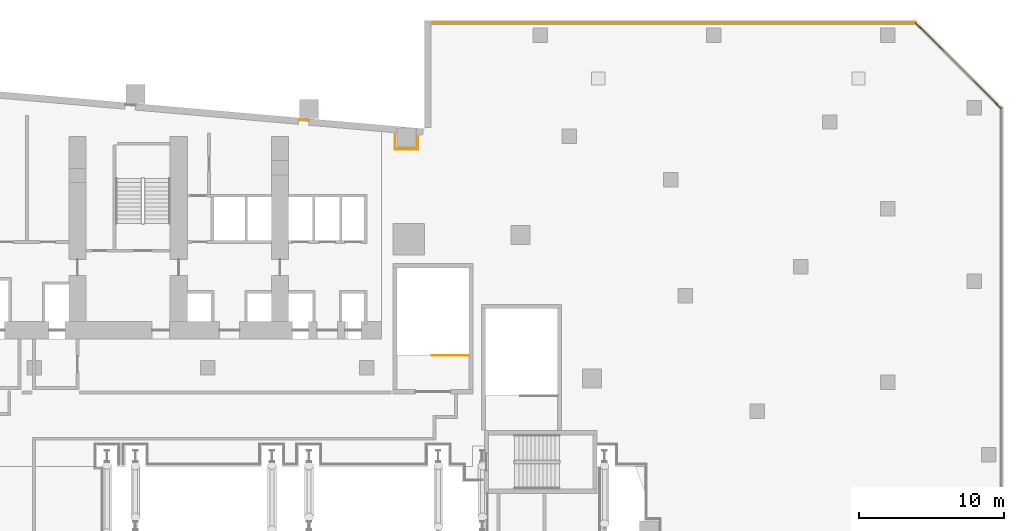
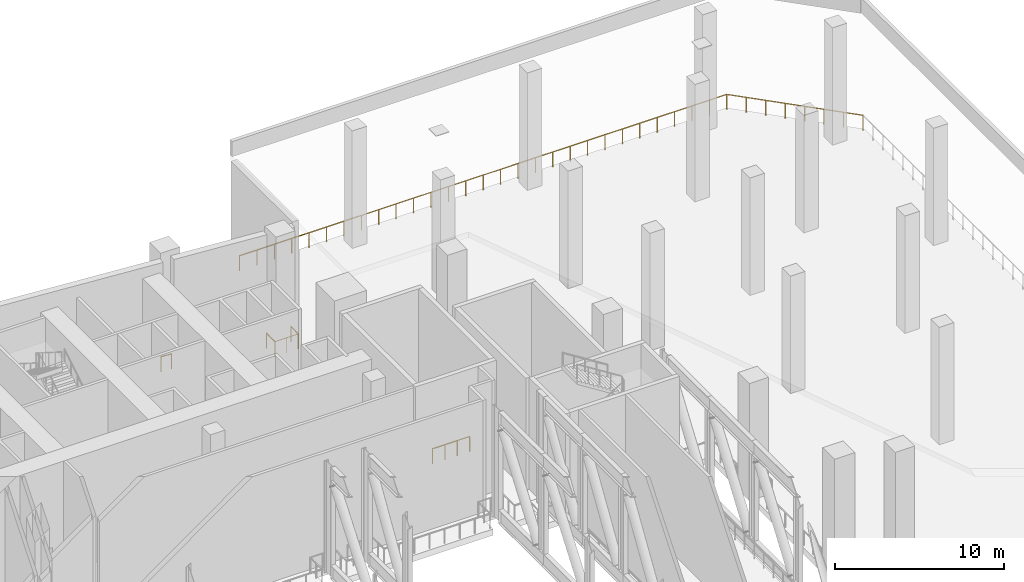
# One storey, part 33 of 33: 7 railings.
"""IFC4 building model written with IfcOpenShell, lengths in metres."""

from ifc_helpers import new_model, si_unit, direction, frame, origin, origin_2d, place, context, subcontext, project, spatial, circle, extrude, material, type_object, element, save


model = new_model("IFC4")

# Units and contexts
model_context = context("Model", 3, precision=1e-05, world=origin(), true_north=direction((0.0, 1.0)))
body_context = subcontext(model_context, "Body", "Model", "MODEL_VIEW")
ifc_project = project(units=[si_unit("LENGTHUNIT", "METRE"), si_unit("AREAUNIT", "SQUARE_METRE"), si_unit("VOLUMEUNIT", "CUBIC_METRE"), si_unit("PLANEANGLEUNIT", "RADIAN"), si_unit("MASSUNIT", "GRAM", prefix="KILO")], contexts=[model_context])

# Site, building, storey
site_placement = place(None, origin())
site = spatial("IfcSite", under=ifc_project, at=site_placement, CompositionType="ELEMENT")
building_placement = place(site_placement, origin())
building = spatial("IfcBuilding", under=site, at=building_placement, Name="Wharfspan Tower", CompositionType="ELEMENT")
storey_placement = place(building_placement, frame((0.0, 0.0, 33.0)))
storey = spatial("IfcBuildingStorey", under=building, at=storey_placement, Name="L05", CompositionType="ELEMENT", Elevation=33.0)

# Railings
ifc_material = material(Name="Steel S355J2", Category="steel")
railing_type_1 = type_object("IfcRailingType", Name="GUARD 1100 STEEL AND GLASS", PredefinedType="GUARDRAIL", material=ifc_material)
railing_1_placement = place(storey_placement, frame((59.307861, 49.144775, 0.0)))
element("IfcRailing", 1, at=railing_1_placement, inside=storey, type_object=railing_type_1, Name="Guard on the deck edge", PredefinedType="GUARDRAIL", context=body_context, shape_type="SweptSolid", body=[
    extrude(circle(Radius=0.024902, at=origin_2d()), frame((0.0, 0.0, 1.075195), z_axis=(0.99619, -0.087214, 0.0), x_axis=(0.087214, 0.99619, 0.0)), (0.0, 0.0, 1.0), 0.702637),
    extrude(circle(Radius=0.02002, at=origin_2d()), origin(), (0.0, 0.0, 1.0), 1.050049),
    extrude(circle(Radius=0.02002, at=origin_2d()), frame((0.699951, -0.061279, 0.0)), (0.0, 0.0, 1.0), 1.050049),
])
railing_2_placement = place(storey_placement, frame((65.947754, 48.132324, 0.0)))
element("IfcRailing", 2, at=railing_2_placement, inside=storey, type_object=railing_type_1, Name="Guard on the deck edge", PredefinedType="GUARDRAIL", context=body_context, shape_type="SweptSolid", body=[
    extrude(circle(Radius=0.024902, at=origin_2d()), frame((0.0, 0.0, 1.075195), z_axis=(0.0, -1.0, 0.0), x_axis=(1.0, 0.0, 0.0)), (0.0, 0.0, 1.0), 1.01709),
    extrude(circle(Radius=0.02002, at=origin_2d()), origin(), (0.0, 0.0, 1.0), 1.050049),
    extrude(circle(Radius=0.02002, at=origin_2d()), frame((0.0, -1.01709, 0.0)), (0.0, 0.0, 1.0), 1.050049),
])
railing_3_placement = place(storey_placement, frame((65.947754, 47.115234, 0.0)))
element("IfcRailing", 3, at=railing_3_placement, inside=storey, type_object=railing_type_1, Name="Guard on the deck edge", PredefinedType="GUARDRAIL", context=body_context, shape_type="SweptSolid", body=[
    extrude(circle(Radius=0.024902, at=origin_2d()), frame((0.0, 0.0, 1.075195), z_axis=(1.0, 0.0, 0.0), x_axis=(0.0, 1.0, 0.0)), (0.0, 0.0, 1.0), 1.599854),
    extrude(circle(Radius=0.02002, at=origin_2d()), origin(), (0.0, 0.0, 1.0), 1.050049),
    extrude(circle(Radius=0.02002, at=origin_2d()), frame((0.799805, 0.0, 0.0)), (0.0, 0.0, 1.0), 1.050049),
    extrude(circle(Radius=0.02002, at=origin_2d()), frame((1.599854, 0.0, 0.0)), (0.0, 0.0, 1.0), 1.050049),
])
railing_4_placement = place(storey_placement, frame((67.547607, 47.115234, 0.0)))
element("IfcRailing", 4, at=railing_4_placement, inside=storey, type_object=railing_type_1, Name="Guard on the deck edge", PredefinedType="GUARDRAIL", context=body_context, shape_type="SweptSolid", body=[
    extrude(circle(Radius=0.024902, at=origin_2d()), frame((0.0, 0.0, 1.075195), z_axis=(0.0, 1.0, 0.0), x_axis=(-1.0, 0.0, 0.0)), (0.0, 0.0, 1.0), 0.877197),
    extrude(circle(Radius=0.02002, at=origin_2d()), origin(), (0.0, 0.0, 1.0), 1.050049),
    extrude(circle(Radius=0.02002, at=origin_2d()), frame((0.0, 0.877197, 0.0)), (0.0, 0.0, 1.0), 1.050049),
])
railing_5_placement = place(storey_placement, frame((68.570068, 55.860107, 0.0)))
element("IfcRailing", 5, at=railing_5_placement, inside=storey, type_object=railing_type_1, Name="Guard on the deck edge", PredefinedType="GUARDRAIL", context=body_context, shape_type="SweptSolid", body=[
    extrude(circle(Radius=0.024902, at=origin_2d()), frame((0.0, 0.0, 1.075195), z_axis=(1.0, 0.0, 0.0), x_axis=(0.0, 1.0, 0.0)), (0.0, 0.0, 1.0), 33.371826),
    extrude(circle(Radius=0.02002, at=origin_2d()), origin(), (0.0, 0.0, 1.0), 1.050049),
    extrude(circle(Radius=0.02002, at=origin_2d()), frame((1.191895, 0.0, 0.0)), (0.0, 0.0, 1.0), 1.050049),
    extrude(circle(Radius=0.02002, at=origin_2d()), frame((2.383789, 0.0, 0.0)), (0.0, 0.0, 1.0), 1.050049),
    extrude(circle(Radius=0.02002, at=origin_2d()), frame((3.575439, 0.0, 0.0)), (0.0, 0.0, 1.0), 1.050049),
    extrude(circle(Radius=0.02002, at=origin_2d()), frame((4.767334, 0.0, 0.0)), (0.0, 0.0, 1.0), 1.050049),
    extrude(circle(Radius=0.02002, at=origin_2d()), frame((5.959229, 0.0, 0.0)), (0.0, 0.0, 1.0), 1.050049),
    extrude(circle(Radius=0.02002, at=origin_2d()), frame((7.151123, 0.0, 0.0)), (0.0, 0.0, 1.0), 1.050049),
    extrude(circle(Radius=0.02002, at=origin_2d()), frame((8.343018, 0.0, 0.0)), (0.0, 0.0, 1.0), 1.050049),
    extrude(circle(Radius=0.02002, at=origin_2d()), frame((9.534912, 0.0, 0.0)), (0.0, 0.0, 1.0), 1.050049),
    extrude(circle(Radius=0.02002, at=origin_2d()), frame((10.726562, 0.0, 0.0)), (0.0, 0.0, 1.0), 1.050049),
    extrude(circle(Radius=0.02002, at=origin_2d()), frame((11.918457, 0.0, 0.0)), (0.0, 0.0, 1.0), 1.050049),
    extrude(circle(Radius=0.02002, at=origin_2d()), frame((13.110352, 0.0, 0.0)), (0.0, 0.0, 1.0), 1.050049),
    extrude(circle(Radius=0.02002, at=origin_2d()), frame((14.302246, 0.0, 0.0)), (0.0, 0.0, 1.0), 1.050049),
    extrude(circle(Radius=0.02002, at=origin_2d()), frame((15.494141, 0.0, 0.0)), (0.0, 0.0, 1.0), 1.050049),
    extrude(circle(Radius=0.02002, at=origin_2d()), frame((16.686035, 0.0, 0.0)), (0.0, 0.0, 1.0), 1.050049),
    extrude(circle(Radius=0.02002, at=origin_2d()), frame((17.877686, 0.0, 0.0)), (0.0, 0.0, 1.0), 1.050049),
    extrude(circle(Radius=0.02002, at=origin_2d()), frame((19.06958, 0.0, 0.0)), (0.0, 0.0, 1.0), 1.050049),
    extrude(circle(Radius=0.02002, at=origin_2d()), frame((20.261475, 0.0, 0.0)), (0.0, 0.0, 1.0), 1.050049),
    extrude(circle(Radius=0.02002, at=origin_2d()), frame((21.453369, 0.0, 0.0)), (0.0, 0.0, 1.0), 1.050049),
    extrude(circle(Radius=0.02002, at=origin_2d()), frame((22.645264, 0.0, 0.0)), (0.0, 0.0, 1.0), 1.050049),
    extrude(circle(Radius=0.02002, at=origin_2d()), frame((23.836914, 0.0, 0.0)), (0.0, 0.0, 1.0), 1.050049),
    extrude(circle(Radius=0.02002, at=origin_2d()), frame((25.028809, 0.0, 0.0)), (0.0, 0.0, 1.0), 1.050049),
    extrude(circle(Radius=0.02002, at=origin_2d()), frame((26.220703, 0.0, 0.0)), (0.0, 0.0, 1.0), 1.050049),
    extrude(circle(Radius=0.02002, at=origin_2d()), frame((27.412598, 0.0, 0.0)), (0.0, 0.0, 1.0), 1.050049),
    extrude(circle(Radius=0.02002, at=origin_2d()), frame((28.604492, 0.0, 0.0)), (0.0, 0.0, 1.0), 1.050049),
    extrude(circle(Radius=0.02002, at=origin_2d()), frame((29.796387, 0.0, 0.0)), (0.0, 0.0, 1.0), 1.050049),
    extrude(circle(Radius=0.02002, at=origin_2d()), frame((30.988037, 0.0, 0.0)), (0.0, 0.0, 1.0), 1.050049),
    extrude(circle(Radius=0.02002, at=origin_2d()), frame((32.179932, 0.0, 0.0)), (0.0, 0.0, 1.0), 1.050049),
    extrude(circle(Radius=0.02002, at=origin_2d()), frame((33.371826, 0.0, 0.0)), (0.0, 0.0, 1.0), 1.050049),
])
railing_6_placement = place(storey_placement, frame((101.941895, 55.860107, 0.0)))
element("IfcRailing", 6, at=railing_6_placement, inside=storey, type_object=railing_type_1, Name="Guard on the deck edge", PredefinedType="GUARDRAIL", context=body_context, shape_type="SweptSolid", body=[
    extrude(circle(Radius=0.024902, at=origin_2d()), frame((0.0, 0.0, 1.075195), z_axis=(0.707107, -0.707107, 0.0), x_axis=(0.707107, 0.707107, 0.0)), (0.0, 0.0, 1.0), 8.369629),
    extrude(circle(Radius=0.02002, at=origin_2d()), origin(), (0.0, 0.0, 1.0), 1.050049),
    extrude(circle(Radius=0.02002, at=origin_2d()), frame((0.845459, -0.845459, 0.0)), (0.0, 0.0, 1.0), 1.050049),
    extrude(circle(Radius=0.02002, at=origin_2d()), frame((1.690918, -1.690918, 0.0)), (0.0, 0.0, 1.0), 1.050049),
    extrude(circle(Radius=0.02002, at=origin_2d()), frame((2.536377, -2.536377, 0.0)), (0.0, 0.0, 1.0), 1.050049),
    extrude(circle(Radius=0.02002, at=origin_2d()), frame((3.381836, -3.381836, 0.0)), (0.0, 0.0, 1.0), 1.050049),
    extrude(circle(Radius=0.02002, at=origin_2d()), frame((4.227295, -4.227295, 0.0)), (0.0, 0.0, 1.0), 1.050049),
    extrude(circle(Radius=0.02002, at=origin_2d()), frame((5.072754, -5.072754, 0.0)), (0.0, 0.0, 1.0), 1.050049),
    extrude(circle(Radius=0.02002, at=origin_2d()), frame((5.918213, -5.918213, 0.0)), (0.0, 0.0, 1.0), 1.050049),
])
railing_type_2 = type_object("IfcRailingType", Name="Podium guard 1100", PredefinedType="GUARDRAIL", material=ifc_material)
railing_7_placement = place(storey_placement, frame((71.050049, 32.850098, 0.0)))
element("IfcRailing", 7, at=railing_7_placement, inside=storey, type_object=railing_type_2, Name="L05 PS4 top well guard 1", PredefinedType="GUARDRAIL", context=body_context, shape_type="SweptSolid", body=[
    extrude(circle(Radius=0.023926, at=origin_2d()), frame((0.0, 0.0, 1.076172), z_axis=(-1.0, 0.0, 0.0), x_axis=(0.0, -1.0, 0.0)), (0.0, 0.0, 1.0), 2.550049),
    extrude(circle(Radius=0.020996, at=origin_2d()), origin(), (0.0, 0.0, 1.0), 1.052002),
    extrude(circle(Radius=0.020996, at=origin_2d()), frame((-0.850098, 0.0, 0.0)), (0.0, 0.0, 1.0), 1.052002),
    extrude(circle(Radius=0.020996, at=origin_2d()), frame((-1.699951, 0.0, 0.0)), (0.0, 0.0, 1.0), 1.052002),
    extrude(circle(Radius=0.020996, at=origin_2d()), frame((-2.550049, 0.0, 0.0)), (0.0, 0.0, 1.0), 1.052002),
])

save(model, "model.ifc")
